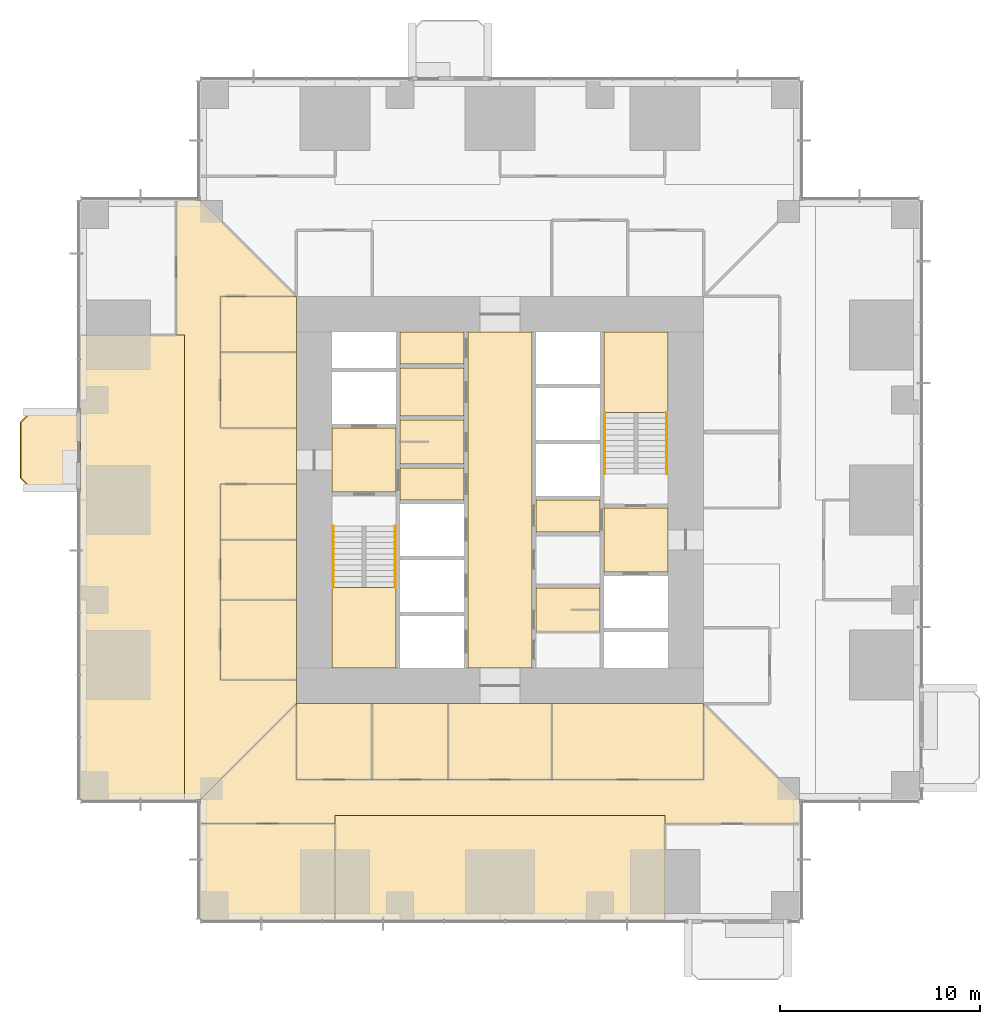
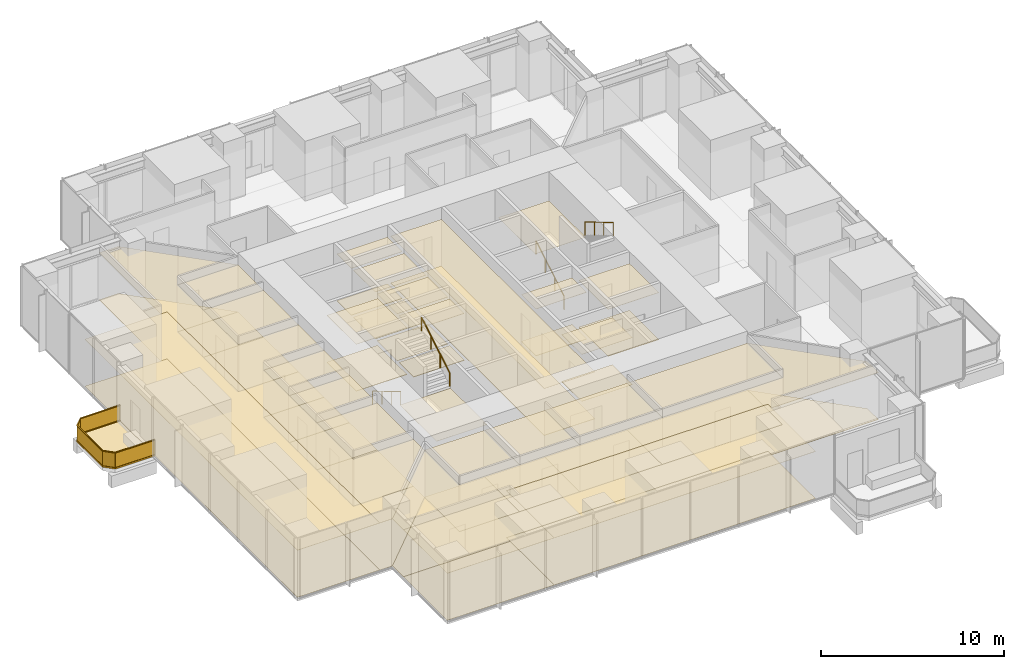
# One storey, part 13 of 15: 49 coverings, 5 railings.
"""IFC4 building model written with IfcOpenShell, lengths in metres."""

from ifc_helpers import new_model, si_unit, direction, frame, origin, origin_2d, place, context, subcontext, project, spatial, polyline, rectangle, circle, outline, extrude, material, layer, layer_set, type_object, element, save


model = new_model("IFC4")

# Units and contexts
model_context = context("Model", 3, precision=1e-05, world=origin(), true_north=direction((0.0, 1.0)))
body_context = subcontext(model_context, "Body", "Model", "MODEL_VIEW")
ifc_project = project(units=[si_unit("LENGTHUNIT", "METRE"), si_unit("AREAUNIT", "SQUARE_METRE"), si_unit("VOLUMEUNIT", "CUBIC_METRE"), si_unit("PLANEANGLEUNIT", "RADIAN"), si_unit("MASSUNIT", "GRAM", prefix="KILO")], contexts=[model_context])

# Site, building, storey
site_placement = place(None, origin())
site = spatial("IfcSite", under=ifc_project, at=site_placement, CompositionType="ELEMENT")
building_placement = place(site_placement, origin())
building = spatial("IfcBuilding", under=site, at=building_placement, Name="Svetlomir Tower", CompositionType="ELEMENT")
storey_placement = place(building_placement, frame((0.0, 0.0, 74.5)))
storey = spatial("IfcBuildingStorey", under=building, at=storey_placement, Name="L17", CompositionType="ELEMENT", Elevation=74.5)

# Railing
ifc_material_1 = material(Name="Bronze anodised aluminium and laminated glass", Category="aluminium")
railing_type_1 = type_object("IfcRailingType", Name="BALCONY GUARD GR1 1100", PredefinedType="GUARDRAIL", material=ifc_material_1)
railing_1_placement = place(storey_placement, frame((0.0, 25.39990234375, 0.0)))
element("IfcRailing", 1, at=railing_1_placement, inside=storey, type_object=railing_type_1, Name="Balcony guard W L17", PredefinedType="GUARDRAIL", context=body_context, shape_type="SweptSolid", body=[
    extrude(rectangle(XDim=0.06005859375, YDim=0.10009765625, at=origin_2d()), frame((0.0, 0.0, 0.050048828125), z_axis=(-1.0, 0.0, 0.0), x_axis=(0.0, -1.0, 0.0)), (0.0, 0.0, 1.0), 2.5),
    extrude(rectangle(XDim=0.021484375, YDim=0.960205078125, at=origin_2d()), frame((0.0, 0.0, 0.580078125), z_axis=(-1.0, 0.0, 0.0), x_axis=(0.0, -1.0, 0.0)), (0.0, 0.0, 1.0), 2.5),
    extrude(rectangle(XDim=0.06005859375, YDim=0.0400390625, at=origin_2d()), frame((0.0, 0.0, 1.080078125), z_axis=(-1.0, 0.0, 0.0), x_axis=(0.0, -1.0, 0.0)), (0.0, 0.0, 1.0), 2.5),
    extrude(rectangle(XDim=0.06005859375, YDim=0.10009765625, at=origin_2d()), frame((-2.5, 0.0, 0.050048828125), z_axis=(-0.707106781187, -0.707106781187, 0.0), x_axis=(0.707106781187, -0.707106781187, 0.0)), (0.0, 0.0, 1.0), 0.70703125),
    extrude(rectangle(XDim=0.021484375, YDim=0.960205078125, at=origin_2d()), frame((-2.5, 0.0, 0.580078125), z_axis=(-0.707106781187, -0.707106781187, 0.0), x_axis=(0.707106781187, -0.707106781187, 0.0)), (0.0, 0.0, 1.0), 0.70703125),
    extrude(rectangle(XDim=0.06005859375, YDim=0.0400390625, at=origin_2d()), frame((-2.5, 0.0, 1.080078125), z_axis=(-0.707106781187, -0.707106781187, 0.0), x_axis=(0.707106781187, -0.707106781187, 0.0)), (0.0, 0.0, 1.0), 0.70703125),
    extrude(rectangle(XDim=0.06005859375, YDim=0.10009765625, at=origin_2d()), frame((-3.0, -0.5, 0.050048828125), z_axis=(0.0, -1.0, 0.0), x_axis=(1.0, 0.0, 0.0)), (0.0, 0.0, 1.0), 2.7998046875),
    extrude(rectangle(XDim=0.021484375, YDim=0.960205078125, at=origin_2d()), frame((-3.0, -0.5, 0.580078125), z_axis=(0.0, -1.0, 0.0), x_axis=(1.0, 0.0, 0.0)), (0.0, 0.0, 1.0), 2.7998046875),
    extrude(rectangle(XDim=0.06005859375, YDim=0.0400390625, at=origin_2d()), frame((-3.0, -0.5, 1.080078125), z_axis=(0.0, -1.0, 0.0), x_axis=(1.0, 0.0, 0.0)), (0.0, 0.0, 1.0), 2.7998046875),
    extrude(rectangle(XDim=0.06005859375, YDim=0.10009765625, at=origin_2d()), frame((-3.0, -3.2998046875, 0.050048828125), z_axis=(0.707106781187, -0.707106781187, 0.0), x_axis=(0.707106781187, 0.707106781187, 0.0)), (0.0, 0.0, 1.0), 0.70703125),
    extrude(rectangle(XDim=0.021484375, YDim=0.960205078125, at=origin_2d()), frame((-3.0, -3.2998046875, 0.580078125), z_axis=(0.707106781187, -0.707106781187, 0.0), x_axis=(0.707106781187, 0.707106781187, 0.0)), (0.0, 0.0, 1.0), 0.70703125),
    extrude(rectangle(XDim=0.06005859375, YDim=0.0400390625, at=origin_2d()), frame((-3.0, -3.2998046875, 1.080078125), z_axis=(0.707106781187, -0.707106781187, 0.0), x_axis=(0.707106781187, 0.707106781187, 0.0)), (0.0, 0.0, 1.0), 0.70703125),
    extrude(rectangle(XDim=0.06005859375, YDim=0.10009765625, at=origin_2d()), frame((-2.5, -3.7998046875, 0.050048828125), z_axis=(1.0, 0.0, 0.0), x_axis=(0.0, 1.0, 0.0)), (0.0, 0.0, 1.0), 2.5),
    extrude(rectangle(XDim=0.021484375, YDim=0.960205078125, at=origin_2d()), frame((-2.5, -3.7998046875, 0.580078125), z_axis=(1.0, 0.0, 0.0), x_axis=(0.0, 1.0, 0.0)), (0.0, 0.0, 1.0), 2.5),
    extrude(rectangle(XDim=0.06005859375, YDim=0.0400390625, at=origin_2d()), frame((-2.5, -3.7998046875, 1.080078125), z_axis=(1.0, 0.0, 0.0), x_axis=(0.0, 1.0, 0.0)), (0.0, 0.0, 1.0), 2.5),
])

# Coverings
ifc_material_2 = material(Name="Granite paving slabs on pedestals", Category="masonry")
ifc_layer_1 = layer(ifc_material_2, 0.0400390625)
ifc_layer_set_1 = layer_set([ifc_layer_1], Name="Granite paving slabs on pedestals")
covering_type_1 = type_object("IfcCoveringType", Name="BALCONY PAVING 40", PredefinedType="USERDEFINED", material=ifc_layer_set_1)
covering_1_placement = place(storey_placement, origin())
element("IfcCovering", 2, at=covering_1_placement, inside=storey, type_object=covering_type_1, Name="Balcony paving W L17", ObjectType="BALCONY PAVING", PredefinedType="USERDEFINED", context=body_context, shape_type="SweptSolid", body=[
    extrude(outline(polyline([(-2.5, 21.60009765625), (0.0, 21.60009765625), (0.0, 25.39990234375), (-2.5, 25.39990234375), (-3.0, 24.89990234375), (-3.0, 22.10009765625), (-2.5, 21.60009765625)])), origin(), (0.0, 0.0, 1.0), 0.0400390625),
])
ifc_material_3 = material(Name="Carpet tile", Category="textile")
ifc_layer_2 = layer(ifc_material_3, 0.010009765625)
ifc_layer_set_2 = layer_set([ifc_layer_2], Name="Carpet tile")
covering_type_2 = type_object("IfcCoveringType", Name="CARPET TILE FLOOR 10", PredefinedType="FLOORING", material=ifc_layer_set_2)
covering_2_placement = place(storey_placement, origin())
element("IfcCovering", 3, at=covering_2_placement, inside=storey, type_object=covering_type_2, Name="Floor finish L17-14", PredefinedType="FLOORING", context=body_context, shape_type="SweptSolid", body=[
    extrude(outline(polyline([(10.800048828125, 7.0), (14.60009765625, 7.0), (14.60009765625, 10.800048828125), (10.800048828125, 10.800048828125), (10.800048828125, 7.0)])), origin(), (0.0, 0.0, 1.0), 0.010009765625),
])
covering_3_placement = place(storey_placement, origin())
element("IfcCovering", 4, at=covering_3_placement, inside=storey, type_object=covering_type_2, Name="Floor finish L17-15", PredefinedType="FLOORING", context=body_context, shape_type="SweptSolid", body=[
    extrude(outline(polyline([(14.60009765625, 7.0), (18.39990234375, 7.0), (18.39990234375, 10.800048828125), (14.60009765625, 10.800048828125), (14.60009765625, 7.0)])), origin(), (0.0, 0.0, 1.0), 0.010009765625),
])
covering_4_placement = place(storey_placement, origin())
element("IfcCovering", 5, at=covering_4_placement, inside=storey, type_object=covering_type_2, Name="Floor finish L17-16", PredefinedType="FLOORING", context=body_context, shape_type="SweptSolid", body=[
    extrude(outline(polyline([(23.60009765625, 7.0), (31.199951171875, 7.0), (31.199951171875, 10.800048828125), (23.60009765625, 10.800048828125), (23.60009765625, 7.0)])), origin(), (0.0, 0.0, 1.0), 0.010009765625),
])
covering_5_placement = place(storey_placement, origin())
element("IfcCovering", 6, at=covering_5_placement, inside=storey, type_object=covering_type_2, Name="Floor finish L17-17", PredefinedType="FLOORING", context=body_context, shape_type="SweptSolid", body=[
    extrude(outline(polyline([(6.0, 0.0), (12.75, 0.0), (12.75, 4.800048828125), (6.0, 4.800048828125), (6.0, 0.0)])), origin(), (0.0, 0.0, 1.0), 0.010009765625),
])
covering_6_placement = place(storey_placement, origin())
element("IfcCovering", 7, at=covering_6_placement, inside=storey, type_object=covering_type_2, Name="Floor finish L17-28", PredefinedType="FLOORING", context=body_context, shape_type="SweptSolid", body=[
    extrude(outline(polyline([(7.0, 12.0), (10.800048828125, 12.0), (10.800048828125, 16.0), (7.0, 16.0), (7.0, 12.0)])), origin(), (0.0, 0.0, 1.0), 0.010009765625),
])
covering_7_placement = place(storey_placement, origin())
element("IfcCovering", 8, at=covering_7_placement, inside=storey, type_object=covering_type_2, Name="Floor finish L17-29", PredefinedType="FLOORING", context=body_context, shape_type="SweptSolid", body=[
    extrude(outline(polyline([(7.0, 16.0), (10.800048828125, 16.0), (10.800048828125, 19.0), (7.0, 19.0), (7.0, 16.0)])), origin(), (0.0, 0.0, 1.0), 0.010009765625),
])
covering_8_placement = place(storey_placement, origin())
element("IfcCovering", 9, at=covering_8_placement, inside=storey, type_object=covering_type_2, Name="Floor finish L17-30", PredefinedType="FLOORING", context=body_context, shape_type="SweptSolid", body=[
    extrude(outline(polyline([(7.0, 24.60009765625), (10.800048828125, 24.60009765625), (10.800048828125, 28.39990234375), (7.0, 28.39990234375), (7.0, 24.60009765625)])), origin(), (0.0, 0.0, 1.0), 0.010009765625),
])
covering_9_placement = place(storey_placement, origin())
element("IfcCovering", 10, at=covering_9_placement, inside=storey, type_object=covering_type_2, Name="Floor finish L17-32", PredefinedType="FLOORING", context=body_context, shape_type="SweptSolid", body=[
    extrude(outline(polyline([(6.0, 6.0), (10.800048828125, 10.800048828125), (10.800048828125, 7.0), (31.199951171875, 7.0), (31.199951171875, 10.800048828125), (36.0, 6.0), (36.0, 4.800048828125), (29.25, 4.800048828125), (29.25, 5.199951171875), (12.75, 5.199951171875), (12.75, 4.800048828125), (6.0, 4.800048828125), (6.0, 6.0)])), origin(), (0.0, 0.0, 1.0), 0.010009765625),
])
covering_10_placement = place(storey_placement, origin())
element("IfcCovering", 11, at=covering_10_placement, inside=storey, type_object=covering_type_2, Name="Floor finish L17-35", PredefinedType="FLOORING", context=body_context, shape_type="SweptSolid", body=[
    extrude(outline(polyline([(5.199951171875, 6.0), (5.199951171875, 29.25), (4.800048828125, 29.25), (4.800048828125, 36.0), (6.0, 36.0), (10.800048828125, 31.199951171875), (7.0, 31.199951171875), (7.0, 24.60009765625), (10.800048828125, 24.60009765625), (10.800048828125, 21.800048828125), (7.0, 21.800048828125), (7.0, 12.0), (10.800048828125, 12.0), (10.800048828125, 10.800048828125), (6.0, 6.0), (5.199951171875, 6.0)])), origin(), (0.0, 0.0, 1.0), 0.010009765625),
])
covering_11_placement = place(storey_placement, origin())
element("IfcCovering", 12, at=covering_11_placement, inside=storey, type_object=covering_type_2, Name="Floor finish L17-36", PredefinedType="FLOORING", context=body_context, shape_type="SweptSolid", body=[
    extrude(outline(polyline([(12.75, 5.199951171875), (29.25, 5.199951171875), (29.25, 0.0), (12.75, 0.0), (12.75, 5.199951171875)])), origin(), (0.0, 0.0, 1.0), 0.010009765625),
])
covering_12_placement = place(storey_placement, origin())
element("IfcCovering", 13, at=covering_12_placement, inside=storey, type_object=covering_type_2, Name="Floor finish L17-37", PredefinedType="FLOORING", context=body_context, shape_type="SweptSolid", body=[
    extrude(outline(polyline([(23.60009765625, 10.800048828125), (23.60009765625, 7.0), (18.39990234375, 7.0), (18.39990234375, 10.800048828125), (23.60009765625, 10.800048828125)])), origin(), (0.0, 0.0, 1.0), 0.010009765625),
])
covering_13_placement = place(storey_placement, origin())
element("IfcCovering", 14, at=covering_13_placement, inside=storey, type_object=covering_type_2, Name="Floor finish L17-44", PredefinedType="FLOORING", context=body_context, shape_type="SweptSolid", body=[
    extrude(outline(polyline([(0.0, 29.25), (5.199951171875, 29.25), (5.199951171875, 6.0), (0.0, 6.0), (0.0, 29.25)])), origin(), (0.0, 0.0, 1.0), 0.010009765625),
])
covering_14_placement = place(storey_placement, origin())
element("IfcCovering", 15, at=covering_14_placement, inside=storey, type_object=covering_type_2, Name="Floor finish L17-45", PredefinedType="FLOORING", context=body_context, shape_type="SweptSolid", body=[
    extrude(outline(polyline([(7.0, 28.39990234375), (7.0, 31.199951171875), (10.800048828125, 31.199951171875), (10.800048828125, 28.39990234375), (7.0, 28.39990234375)])), origin(), (0.0, 0.0, 1.0), 0.010009765625),
])
covering_15_placement = place(storey_placement, origin())
element("IfcCovering", 16, at=covering_15_placement, inside=storey, type_object=covering_type_2, Name="Floor finish L17-46", PredefinedType="FLOORING", context=body_context, shape_type="SweptSolid", body=[
    extrude(outline(polyline([(7.0, 19.0), (7.0, 21.800048828125), (10.800048828125, 21.800048828125), (10.800048828125, 19.0), (7.0, 19.0)])), origin(), (0.0, 0.0, 1.0), 0.010009765625),
])
ifc_material_4 = material(Name="Ceramic floor tile", Category="ceramic")
ifc_layer_3 = layer(ifc_material_4, 0.014892578125)
ifc_layer_set_3 = layer_set([ifc_layer_3], Name="Ceramic floor tile")
covering_type_3 = type_object("IfcCoveringType", Name="CERAMIC TILE FLOOR 15", PredefinedType="FLOORING", material=ifc_layer_set_3)
covering_16_placement = place(storey_placement, origin())
element("IfcCovering", 17, at=covering_16_placement, inside=storey, type_object=covering_type_3, Name="Floor finish L17-04", PredefinedType="FLOORING", context=body_context, shape_type="SweptSolid", body=[
    extrude(outline(polyline([(16.0, 22.800048828125), (19.199951171875, 22.800048828125), (19.199951171875, 25.0), (16.0, 25.0), (16.0, 22.800048828125)])), origin(), (0.0, 0.0, 1.0), 0.014892578125),
])
covering_17_placement = place(storey_placement, origin())
element("IfcCovering", 18, at=covering_17_placement, inside=storey, type_object=covering_type_3, Name="Floor finish L17-05", PredefinedType="FLOORING", context=body_context, shape_type="SweptSolid", body=[
    extrude(outline(polyline([(16.0, 25.199951171875), (19.199951171875, 25.199951171875), (19.199951171875, 27.60009765625), (16.0, 27.60009765625), (16.0, 25.199951171875)])), origin(), (0.0, 0.0, 1.0), 0.014892578125),
])
covering_18_placement = place(storey_placement, origin())
element("IfcCovering", 19, at=covering_18_placement, inside=storey, type_object=covering_type_3, Name="Floor finish L17-09", PredefinedType="FLOORING", context=body_context, shape_type="SweptSolid", body=[
    extrude(outline(polyline([(22.800048828125, 14.39990234375), (26.0, 14.39990234375), (26.0, 16.60009765625), (22.800048828125, 16.60009765625), (22.800048828125, 14.39990234375)])), origin(), (0.0, 0.0, 1.0), 0.014892578125),
])

# Railings
ifc_material_5 = material(Name="Stainless steel", Category="steel")
railing_type_2 = type_object("IfcRailingType", Name="HANDRAIL HR1 900", PredefinedType="HANDRAIL", material=ifc_material_5)
railing_2_placement = place(storey_placement, frame((12.64990234375, 19.699951171875, 0.166748046875)))
element("IfcRailing", 20, at=railing_2_placement, inside=storey, type_object=railing_type_2, Name="Handrail S1 flight 1 L17", PredefinedType="HANDRAIL", context=body_context, shape_type="SweptSolid", body=[
    extrude(circle(Radius=0.02392578125, at=origin_2d()), frame((0.0, 0.0, 0.8759765625), z_axis=(0.0, -0.859290745958, 0.51148745235), x_axis=(1.0, 0.0, 0.0)), (0.0, 0.0, 1.0), 3.584228515625),
    extrude(circle(Radius=0.02099609375, at=origin_2d()), origin(), (0.0, 0.0, 1.0), 0.851806640625),
    extrude(circle(Radius=0.02099609375, at=origin_2d()), frame((0.0, -1.026611328125, 0.611083984375)), (0.0, 0.0, 1.0), 0.851806640625),
    extrude(circle(Radius=0.02099609375, at=origin_2d()), frame((0.0, -2.05322265625, 1.22216796875)), (0.0, 0.0, 1.0), 0.851806640625),
    extrude(circle(Radius=0.02099609375, at=origin_2d()), frame((0.0, -3.079833984375, 1.833251953125)), (0.0, 0.0, 1.0), 0.851806640625),
])
for number, where, name in (
    (21, (15.75, 16.6201171875, 2.166748046875), "Handrail S1 flight 2 L17"),
    (22, (26.25, 22.300048828125, 0.166748046875), "Handrail S2 flight 1 L17"),
):
    element("IfcRailing", number, at=place(storey_placement, frame(where)), inside=storey, type_object=railing_type_2, Name=name, PredefinedType="HANDRAIL", context=body_context, shape_type="SweptSolid", body=[
        extrude(circle(Radius=0.02392578125, at=origin_2d()), frame((0.0, 0.0, 0.8759765625), z_axis=(0.0, 0.859290745958, 0.51148745235), x_axis=(-1.0, 0.0, 0.0)), (0.0, 0.0, 1.0), 3.584228515625),
        extrude(circle(Radius=0.02099609375, at=origin_2d()), origin(), (0.0, 0.0, 1.0), 0.851806640625),
        extrude(circle(Radius=0.02099609375, at=origin_2d()), frame((0.0, 1.026611328125, 0.611083984375)), (0.0, 0.0, 1.0), 0.851806640625),
        extrude(circle(Radius=0.02099609375, at=origin_2d()), frame((0.0, 2.05322265625, 1.22216796875)), (0.0, 0.0, 1.0), 0.851806640625),
        extrude(circle(Radius=0.02099609375, at=origin_2d()), frame((0.0, 3.079833984375, 1.833251953125)), (0.0, 0.0, 1.0), 0.851806640625),
    ])
railing_3_placement = place(storey_placement, frame((29.35009765625, 25.3798828125, 2.166748046875)))
element("IfcRailing", 23, at=railing_3_placement, inside=storey, type_object=railing_type_2, Name="Handrail S2 flight 2 L17", PredefinedType="HANDRAIL", context=body_context, shape_type="SweptSolid", body=[
    extrude(circle(Radius=0.02392578125, at=origin_2d()), frame((0.0, 0.0, 0.8759765625), z_axis=(0.0, -0.859290745958, 0.51148745235), x_axis=(1.0, 0.0, 0.0)), (0.0, 0.0, 1.0), 3.584228515625),
    extrude(circle(Radius=0.02099609375, at=origin_2d()), origin(), (0.0, 0.0, 1.0), 0.851806640625),
    extrude(circle(Radius=0.02099609375, at=origin_2d()), frame((0.0, -1.026611328125, 0.611083984375)), (0.0, 0.0, 1.0), 0.851806640625),
    extrude(circle(Radius=0.02099609375, at=origin_2d()), frame((0.0, -2.05322265625, 1.22216796875)), (0.0, 0.0, 1.0), 0.851806640625),
    extrude(circle(Radius=0.02099609375, at=origin_2d()), frame((0.0, -3.079833984375, 1.833251953125)), (0.0, 0.0, 1.0), 0.851806640625),
])

# Coverings
ifc_material_6 = material(Name="Moisture resistant plasterboard ceiling", Category="gypsum")
ifc_layer_4 = layer(ifc_material_6, 0.012451171875)
ifc_layer_set_4 = layer_set([ifc_layer_4], Name="Moisture resistant plasterboard ceiling")
covering_type_4 = type_object("IfcCoveringType", Name="MOISTURE RESISTANT CEILING 12.5", PredefinedType="CEILING", material=ifc_layer_set_4)
covering_19_placement = place(storey_placement, frame((0.0, 0.0, 3.137451171875)))
element("IfcCovering", 24, at=covering_19_placement, inside=storey, type_object=covering_type_4, Name="Ceiling L17-04", PredefinedType="CEILING", context=body_context, shape_type="SweptSolid", body=[
    extrude(outline(polyline([(16.0, 22.800048828125), (19.199951171875, 22.800048828125), (19.199951171875, 25.0), (16.0, 25.0), (16.0, 22.800048828125)])), origin(), (0.0, 0.0, 1.0), 0.012451171875),
])
covering_20_placement = place(storey_placement, frame((0.0, 0.0, 3.137451171875)))
element("IfcCovering", 25, at=covering_20_placement, inside=storey, type_object=covering_type_4, Name="Ceiling L17-05", PredefinedType="CEILING", context=body_context, shape_type="SweptSolid", body=[
    extrude(outline(polyline([(16.0, 25.199951171875), (19.199951171875, 25.199951171875), (19.199951171875, 27.60009765625), (16.0, 27.60009765625), (16.0, 25.199951171875)])), origin(), (0.0, 0.0, 1.0), 0.012451171875),
])
covering_21_placement = place(storey_placement, frame((0.0, 0.0, 3.137451171875)))
element("IfcCovering", 26, at=covering_21_placement, inside=storey, type_object=covering_type_4, Name="Ceiling L17-09", PredefinedType="CEILING", context=body_context, shape_type="SweptSolid", body=[
    extrude(outline(polyline([(22.800048828125, 14.39990234375), (26.0, 14.39990234375), (26.0, 16.60009765625), (22.800048828125, 16.60009765625), (22.800048828125, 14.39990234375)])), origin(), (0.0, 0.0, 1.0), 0.012451171875),
])
ifc_material_7 = material(Name="Gypsum plasterboard ceiling", Category="gypsum")
ifc_layer_5 = layer(ifc_material_7, 0.014892578125)
ifc_layer_set_5 = layer_set([ifc_layer_5], Name="Gypsum plasterboard ceiling")
covering_type_5 = type_object("IfcCoveringType", Name="PLASTERBOARD CEILING 15", PredefinedType="CEILING", material=ifc_layer_set_5)
covering_22_placement = place(storey_placement, frame((0.0, 0.0, 3.135009765625)))
element("IfcCovering", 27, at=covering_22_placement, inside=storey, type_object=covering_type_5, Name="Ceiling L17-02", PredefinedType="CEILING", context=body_context, shape_type="SweptSolid", body=[
    extrude(outline(polyline([(12.60009765625, 21.39990234375), (15.800048828125, 21.39990234375), (15.800048828125, 24.60009765625), (12.60009765625, 24.60009765625), (12.60009765625, 21.39990234375)])), origin(), (0.0, 0.0, 1.0), 0.014892578125),
])
covering_23_placement = place(storey_placement, frame((0.0, 0.0, 3.135009765625)))
element("IfcCovering", 28, at=covering_23_placement, inside=storey, type_object=covering_type_5, Name="Ceiling L17-03", PredefinedType="CEILING", context=body_context, shape_type="SweptSolid", body=[
    extrude(outline(polyline([(16.0, 21.0), (19.199951171875, 21.0), (19.199951171875, 22.60009765625), (16.0, 22.60009765625), (16.0, 21.0)])), origin(), (0.0, 0.0, 1.0), 0.014892578125),
])
covering_24_placement = place(storey_placement, frame((0.0, 0.0, 3.135009765625)))
element("IfcCovering", 29, at=covering_24_placement, inside=storey, type_object=covering_type_5, Name="Ceiling L17-06", PredefinedType="CEILING", context=body_context, shape_type="SweptSolid", body=[
    extrude(outline(polyline([(16.0, 27.800048828125), (19.199951171875, 27.800048828125), (19.199951171875, 29.39990234375), (16.0, 29.39990234375), (16.0, 27.800048828125)])), origin(), (0.0, 0.0, 1.0), 0.014892578125),
])
covering_25_placement = place(storey_placement, frame((0.0, 0.0, 3.135009765625)))
element("IfcCovering", 30, at=covering_25_placement, inside=storey, type_object=covering_type_5, Name="Ceiling L17-07", PredefinedType="CEILING", context=body_context, shape_type="SweptSolid", body=[
    extrude(outline(polyline([(19.39990234375, 12.60009765625), (22.60009765625, 12.60009765625), (22.60009765625, 29.39990234375), (19.39990234375, 29.39990234375), (19.39990234375, 12.60009765625)])), origin(), (0.0, 0.0, 1.0), 0.014892578125),
])
covering_26_placement = place(storey_placement, frame((0.0, 0.0, 3.135009765625)))
element("IfcCovering", 31, at=covering_26_placement, inside=storey, type_object=covering_type_5, Name="Ceiling L17-11", PredefinedType="CEILING", context=body_context, shape_type="SweptSolid", body=[
    extrude(outline(polyline([(22.800048828125, 19.39990234375), (26.0, 19.39990234375), (26.0, 21.0), (22.800048828125, 21.0), (22.800048828125, 19.39990234375)])), origin(), (0.0, 0.0, 1.0), 0.014892578125),
])
covering_27_placement = place(storey_placement, frame((0.0, 0.0, 3.135009765625)))
element("IfcCovering", 32, at=covering_27_placement, inside=storey, type_object=covering_type_5, Name="Ceiling L17-12", PredefinedType="CEILING", context=body_context, shape_type="SweptSolid", body=[
    extrude(outline(polyline([(26.199951171875, 17.39990234375), (29.39990234375, 17.39990234375), (29.39990234375, 20.60009765625), (26.199951171875, 20.60009765625), (26.199951171875, 17.39990234375)])), origin(), (0.0, 0.0, 1.0), 0.014892578125),
])
ifc_material_8 = material(Name="Studded rubber floor finish", Category="rubber")
ifc_layer_6 = layer(ifc_material_8, 0.006103515625)
ifc_layer_set_6 = layer_set([ifc_layer_6], Name="Studded rubber floor finish")
covering_type_6 = type_object("IfcCoveringType", Name="RUBBER LANDING FINISH 6", PredefinedType="FLOORING", material=ifc_layer_set_6)
covering_28_placement = place(storey_placement, frame((0.0, 0.0, 2.0)))
element("IfcCovering", 33, at=covering_28_placement, inside=storey, type_object=covering_type_6, Name="Stair S1 landing finish L17", PredefinedType="FLOORING", context=body_context, shape_type="SweptSolid", body=[
    extrude(outline(polyline([(12.60009765625, 12.60009765625), (15.800048828125, 12.60009765625), (15.800048828125, 16.6201171875), (12.60009765625, 16.6201171875), (12.60009765625, 12.60009765625)])), origin(), (0.0, 0.0, 1.0), 0.006103515625),
])
covering_29_placement = place(storey_placement, frame((0.0, 0.0, 2.0)))
element("IfcCovering", 34, at=covering_29_placement, inside=storey, type_object=covering_type_6, Name="Stair S2 landing finish L17", PredefinedType="FLOORING", context=body_context, shape_type="SweptSolid", body=[
    extrude(outline(polyline([(26.199951171875, 25.3798828125), (29.39990234375, 25.3798828125), (29.39990234375, 29.39990234375), (26.199951171875, 29.39990234375), (26.199951171875, 25.3798828125)])), origin(), (0.0, 0.0, 1.0), 0.006103515625),
])
ifc_material_9 = material(Name="Mineral fibre ceiling tile", Category="mineral")
ifc_layer_7 = layer(ifc_material_9, 0.02001953125)
ifc_layer_set_7 = layer_set([ifc_layer_7], Name="Mineral fibre ceiling tile")
covering_type_7 = type_object("IfcCoveringType", Name="SUSPENDED CEILING 20", PredefinedType="CEILING", material=ifc_layer_set_7)
covering_30_placement = place(storey_placement, frame((0.0, 0.0, 3.1298828125)))
element("IfcCovering", 35, at=covering_30_placement, inside=storey, type_object=covering_type_7, Name="Ceiling L17-14", PredefinedType="CEILING", context=body_context, shape_type="SweptSolid", body=[
    extrude(outline(polyline([(10.800048828125, 7.0), (14.60009765625, 7.0), (14.60009765625, 10.800048828125), (10.800048828125, 10.800048828125), (10.800048828125, 7.0)])), origin(), (0.0, 0.0, 1.0), 0.02001953125),
])
covering_31_placement = place(storey_placement, frame((0.0, 0.0, 3.1298828125)))
element("IfcCovering", 36, at=covering_31_placement, inside=storey, type_object=covering_type_7, Name="Ceiling L17-15", PredefinedType="CEILING", context=body_context, shape_type="SweptSolid", body=[
    extrude(outline(polyline([(14.60009765625, 7.0), (18.39990234375, 7.0), (18.39990234375, 10.800048828125), (14.60009765625, 10.800048828125), (14.60009765625, 7.0)])), origin(), (0.0, 0.0, 1.0), 0.02001953125),
])
covering_32_placement = place(storey_placement, frame((0.0, 0.0, 3.1298828125)))
element("IfcCovering", 37, at=covering_32_placement, inside=storey, type_object=covering_type_7, Name="Ceiling L17-16", PredefinedType="CEILING", context=body_context, shape_type="SweptSolid", body=[
    extrude(outline(polyline([(23.60009765625, 7.0), (31.199951171875, 7.0), (31.199951171875, 10.800048828125), (23.60009765625, 10.800048828125), (23.60009765625, 7.0)])), origin(), (0.0, 0.0, 1.0), 0.02001953125),
])
covering_33_placement = place(storey_placement, frame((0.0, 0.0, 3.1298828125)))
element("IfcCovering", 38, at=covering_33_placement, inside=storey, type_object=covering_type_7, Name="Ceiling L17-17", PredefinedType="CEILING", context=body_context, shape_type="SweptSolid", body=[
    extrude(outline(polyline([(6.0, 0.0), (12.75, 0.0), (12.75, 4.800048828125), (6.0, 4.800048828125), (6.0, 0.0)])), origin(), (0.0, 0.0, 1.0), 0.02001953125),
])
covering_34_placement = place(storey_placement, frame((0.0, 0.0, 3.1298828125)))
element("IfcCovering", 39, at=covering_34_placement, inside=storey, type_object=covering_type_7, Name="Ceiling L17-28", PredefinedType="CEILING", context=body_context, shape_type="SweptSolid", body=[
    extrude(outline(polyline([(7.0, 12.0), (10.800048828125, 12.0), (10.800048828125, 16.0), (7.0, 16.0), (7.0, 12.0)])), origin(), (0.0, 0.0, 1.0), 0.02001953125),
])
covering_35_placement = place(storey_placement, frame((0.0, 0.0, 3.1298828125)))
element("IfcCovering", 40, at=covering_35_placement, inside=storey, type_object=covering_type_7, Name="Ceiling L17-29", PredefinedType="CEILING", context=body_context, shape_type="SweptSolid", body=[
    extrude(outline(polyline([(7.0, 16.0), (10.800048828125, 16.0), (10.800048828125, 19.0), (7.0, 19.0), (7.0, 16.0)])), origin(), (0.0, 0.0, 1.0), 0.02001953125),
])
covering_36_placement = place(storey_placement, frame((0.0, 0.0, 3.1298828125)))
element("IfcCovering", 41, at=covering_36_placement, inside=storey, type_object=covering_type_7, Name="Ceiling L17-30", PredefinedType="CEILING", context=body_context, shape_type="SweptSolid", body=[
    extrude(outline(polyline([(7.0, 24.60009765625), (10.800048828125, 24.60009765625), (10.800048828125, 28.39990234375), (7.0, 28.39990234375), (7.0, 24.60009765625)])), origin(), (0.0, 0.0, 1.0), 0.02001953125),
])
covering_37_placement = place(storey_placement, frame((0.0, 0.0, 3.1298828125)))
element("IfcCovering", 42, at=covering_37_placement, inside=storey, type_object=covering_type_7, Name="Ceiling L17-32", PredefinedType="CEILING", context=body_context, shape_type="SweptSolid", body=[
    extrude(outline(polyline([(6.0, 6.0), (10.800048828125, 10.800048828125), (10.800048828125, 7.0), (31.199951171875, 7.0), (31.199951171875, 10.800048828125), (36.0, 6.0), (36.0, 4.800048828125), (29.25, 4.800048828125), (29.25, 5.199951171875), (12.75, 5.199951171875), (12.75, 4.800048828125), (6.0, 4.800048828125), (6.0, 6.0)])), origin(), (0.0, 0.0, 1.0), 0.02001953125),
])
covering_38_placement = place(storey_placement, frame((0.0, 0.0, 3.1298828125)))
element("IfcCovering", 43, at=covering_38_placement, inside=storey, type_object=covering_type_7, Name="Ceiling L17-35", PredefinedType="CEILING", context=body_context, shape_type="SweptSolid", body=[
    extrude(outline(polyline([(5.199951171875, 6.0), (5.199951171875, 29.25), (4.800048828125, 29.25), (4.800048828125, 36.0), (6.0, 36.0), (10.800048828125, 31.199951171875), (7.0, 31.199951171875), (7.0, 24.60009765625), (10.800048828125, 24.60009765625), (10.800048828125, 21.800048828125), (7.0, 21.800048828125), (7.0, 12.0), (10.800048828125, 12.0), (10.800048828125, 10.800048828125), (6.0, 6.0), (5.199951171875, 6.0)])), origin(), (0.0, 0.0, 1.0), 0.02001953125),
])
covering_39_placement = place(storey_placement, frame((0.0, 0.0, 3.1298828125)))
element("IfcCovering", 44, at=covering_39_placement, inside=storey, type_object=covering_type_7, Name="Ceiling L17-36", PredefinedType="CEILING", context=body_context, shape_type="SweptSolid", body=[
    extrude(outline(polyline([(12.75, 5.199951171875), (29.25, 5.199951171875), (29.25, 0.0), (12.75, 0.0), (12.75, 5.199951171875)])), origin(), (0.0, 0.0, 1.0), 0.02001953125),
])
covering_40_placement = place(storey_placement, frame((0.0, 0.0, 3.1298828125)))
element("IfcCovering", 45, at=covering_40_placement, inside=storey, type_object=covering_type_7, Name="Ceiling L17-37", PredefinedType="CEILING", context=body_context, shape_type="SweptSolid", body=[
    extrude(outline(polyline([(23.60009765625, 10.800048828125), (23.60009765625, 7.0), (18.39990234375, 7.0), (18.39990234375, 10.800048828125), (23.60009765625, 10.800048828125)])), origin(), (0.0, 0.0, 1.0), 0.02001953125),
])
covering_41_placement = place(storey_placement, frame((0.0, 0.0, 3.1298828125)))
element("IfcCovering", 46, at=covering_41_placement, inside=storey, type_object=covering_type_7, Name="Ceiling L17-44", PredefinedType="CEILING", context=body_context, shape_type="SweptSolid", body=[
    extrude(outline(polyline([(0.0, 29.25), (5.199951171875, 29.25), (5.199951171875, 6.0), (0.0, 6.0), (0.0, 29.25)])), origin(), (0.0, 0.0, 1.0), 0.02001953125),
])
covering_42_placement = place(storey_placement, frame((0.0, 0.0, 3.1298828125)))
element("IfcCovering", 47, at=covering_42_placement, inside=storey, type_object=covering_type_7, Name="Ceiling L17-45", PredefinedType="CEILING", context=body_context, shape_type="SweptSolid", body=[
    extrude(outline(polyline([(7.0, 28.39990234375), (7.0, 31.199951171875), (10.800048828125, 31.199951171875), (10.800048828125, 28.39990234375), (7.0, 28.39990234375)])), origin(), (0.0, 0.0, 1.0), 0.02001953125),
])
covering_43_placement = place(storey_placement, frame((0.0, 0.0, 3.1298828125)))
element("IfcCovering", 48, at=covering_43_placement, inside=storey, type_object=covering_type_7, Name="Ceiling L17-46", PredefinedType="CEILING", context=body_context, shape_type="SweptSolid", body=[
    extrude(outline(polyline([(7.0, 19.0), (7.0, 21.800048828125), (10.800048828125, 21.800048828125), (10.800048828125, 19.0), (7.0, 19.0)])), origin(), (0.0, 0.0, 1.0), 0.02001953125),
])
ifc_material_10 = material(Name="Bronze-aggregate terrazzo", Category="stone")
ifc_layer_8 = layer(ifc_material_10, 0.030029296875)
ifc_layer_set_8 = layer_set([ifc_layer_8], Name="Bronze-aggregate terrazzo")
covering_type_8 = type_object("IfcCoveringType", Name="TERRAZZO FLOOR 30", PredefinedType="FLOORING", material=ifc_layer_set_8)
covering_44_placement = place(storey_placement, origin())
element("IfcCovering", 49, at=covering_44_placement, inside=storey, type_object=covering_type_8, Name="Floor finish L17-02", PredefinedType="FLOORING", context=body_context, shape_type="SweptSolid", body=[
    extrude(outline(polyline([(12.60009765625, 21.39990234375), (15.800048828125, 21.39990234375), (15.800048828125, 24.60009765625), (12.60009765625, 24.60009765625), (12.60009765625, 21.39990234375)])), origin(), (0.0, 0.0, 1.0), 0.030029296875),
])
covering_45_placement = place(storey_placement, origin())
element("IfcCovering", 50, at=covering_45_placement, inside=storey, type_object=covering_type_8, Name="Floor finish L17-03", PredefinedType="FLOORING", context=body_context, shape_type="SweptSolid", body=[
    extrude(outline(polyline([(16.0, 21.0), (19.199951171875, 21.0), (19.199951171875, 22.60009765625), (16.0, 22.60009765625), (16.0, 21.0)])), origin(), (0.0, 0.0, 1.0), 0.030029296875),
])
covering_46_placement = place(storey_placement, origin())
element("IfcCovering", 51, at=covering_46_placement, inside=storey, type_object=covering_type_8, Name="Floor finish L17-06", PredefinedType="FLOORING", context=body_context, shape_type="SweptSolid", body=[
    extrude(outline(polyline([(16.0, 27.800048828125), (19.199951171875, 27.800048828125), (19.199951171875, 29.39990234375), (16.0, 29.39990234375), (16.0, 27.800048828125)])), origin(), (0.0, 0.0, 1.0), 0.030029296875),
])
covering_47_placement = place(storey_placement, origin())
element("IfcCovering", 52, at=covering_47_placement, inside=storey, type_object=covering_type_8, Name="Floor finish L17-07", PredefinedType="FLOORING", context=body_context, shape_type="SweptSolid", body=[
    extrude(outline(polyline([(19.39990234375, 12.60009765625), (22.60009765625, 12.60009765625), (22.60009765625, 29.39990234375), (19.39990234375, 29.39990234375), (19.39990234375, 12.60009765625)])), origin(), (0.0, 0.0, 1.0), 0.030029296875),
])
covering_48_placement = place(storey_placement, origin())
element("IfcCovering", 53, at=covering_48_placement, inside=storey, type_object=covering_type_8, Name="Floor finish L17-11", PredefinedType="FLOORING", context=body_context, shape_type="SweptSolid", body=[
    extrude(outline(polyline([(22.800048828125, 19.39990234375), (26.0, 19.39990234375), (26.0, 21.0), (22.800048828125, 21.0), (22.800048828125, 19.39990234375)])), origin(), (0.0, 0.0, 1.0), 0.030029296875),
])
covering_49_placement = place(storey_placement, origin())
element("IfcCovering", 54, at=covering_49_placement, inside=storey, type_object=covering_type_8, Name="Floor finish L17-12", PredefinedType="FLOORING", context=body_context, shape_type="SweptSolid", body=[
    extrude(outline(polyline([(26.199951171875, 17.39990234375), (29.39990234375, 17.39990234375), (29.39990234375, 20.60009765625), (26.199951171875, 20.60009765625), (26.199951171875, 17.39990234375)])), origin(), (0.0, 0.0, 1.0), 0.030029296875),
])

save(model, "model.ifc")
